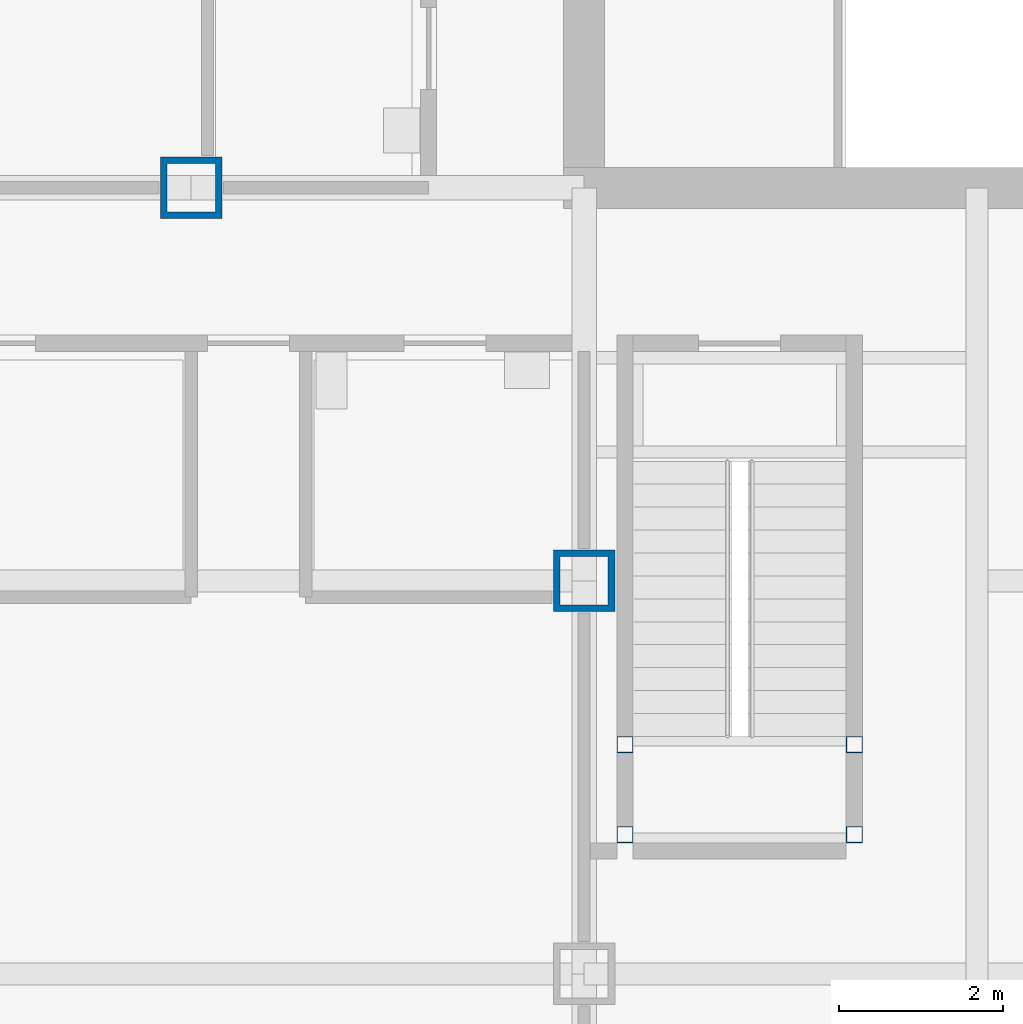
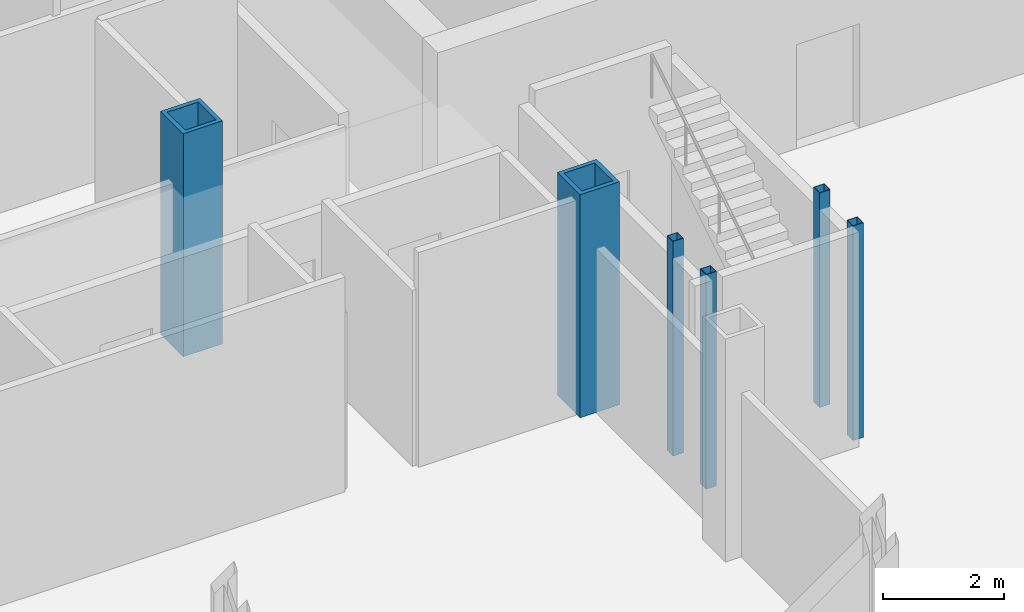
# One storey, part 3 of 26: 6 columns.
"""IFC4 building model written with IfcOpenShell, lengths in metres."""

from ifc_helpers import new_model, si_unit, direction, frame, origin, origin_2d, place, context, subcontext, project, spatial, hollow_rectangle, extrude, material, material_profile, profile_set, type_object, element, save


model = new_model("IFC4")

# Units and contexts
model_context = context("Model", 3, precision=1e-05, world=origin(), true_north=direction((0.0, 1.0)))
body_context = subcontext(model_context, "Body", "Model", "MODEL_VIEW")
ifc_project = project(units=[si_unit("LENGTHUNIT", "METRE"), si_unit("AREAUNIT", "SQUARE_METRE"), si_unit("VOLUMEUNIT", "CUBIC_METRE"), si_unit("PLANEANGLEUNIT", "RADIAN"), si_unit("MASSUNIT", "GRAM", prefix="KILO")], contexts=[model_context])

# Site, building, storey
site_placement = place(None, origin())
site = spatial("IfcSite", under=ifc_project, at=site_placement, CompositionType="ELEMENT")
building_placement = place(site_placement, origin())
building = spatial("IfcBuilding", under=site, at=building_placement, Name="Kvirike Care Tower", CompositionType="ELEMENT")
storey_placement = place(building_placement, frame((0.0, 0.0, 18.0)))
storey = spatial("IfcBuildingStorey", under=building, at=storey_placement, Name="L04", CompositionType="ELEMENT", Elevation=18.0)

# Columns
ifc_material_1 = material(Name="Steel S460", Category="steel")
ifc_material_profile_1 = material_profile(ifc_material_1, hollow_rectangle(XDim=0.75, YDim=0.75, WallThickness=0.080078125, at=origin_2d()), Name="BX 750x750x80")
ifc_profile_set_1 = profile_set([ifc_material_profile_1], Name="Steel S460")
column_type_1 = type_object("IfcColumnType", Name="COLUMN BX 750x750x80", PredefinedType="COLUMN", material=ifc_profile_set_1)
for number, where, z_axis, x_axis, name in (
    (1, (9.60009765625, 28.800048828125, 0.0), (0.0, 0.0, 1.0), (0.0, 1.0, 0.0), "Column G5 L04"),
    (2, (14.39990234375, 24.0, 0.0), (0.0, 0.0, 1.0), (1.0, 0.0, 0.0), "Column F6 L04"),
):
    element("IfcColumn", number, at=place(storey_placement, frame(where, z_axis=z_axis, x_axis=x_axis)), inside=storey, type_object=column_type_1, Name=name, PredefinedType="COLUMN", context=body_context, shape_type="SweptSolid", body=[
        extrude(hollow_rectangle(XDim=0.75, YDim=0.75, WallThickness=0.080078125, at=origin_2d()), origin(), (0.0, 0.0, 1.0), 4.5),
    ])
ifc_material_2 = material(Name="Steel S460", Category="steel")
ifc_material_profile_2 = material_profile(ifc_material_2, hollow_rectangle(XDim=0.199951171875, YDim=0.199951171875, WallThickness=0.008056640625, at=origin_2d()), Name="SHS 200x200x8")
ifc_profile_set_2 = profile_set([ifc_material_profile_2], Name="Steel S460")
column_type_2 = type_object("IfcColumnType", Name="STAIR POST SHS 200x200x8", PredefinedType="COLUMN", material=ifc_profile_set_2)
for number, where, z_axis, x_axis, name in (
    (3, (14.89990234375, 20.89990234375, 0.0), (0.0, 0.0, 1.0), (1.0, 0.0, 0.0), "Stair 5 post 1 L04"),
    (4, (17.699951171875, 20.89990234375, 0.0), (0.0, 0.0, 1.0), (1.0, 0.0, 0.0), "Stair 5 post 2 L04"),
    (5, (14.89990234375, 22.0, 0.0), (0.0, 0.0, 1.0), (1.0, 0.0, 0.0), "Stair 5 post 3 L04"),
    (6, (17.699951171875, 22.0, 0.0), (0.0, 0.0, 1.0), (1.0, 0.0, 0.0), "Stair 5 post 4 L04"),
):
    element("IfcColumn", number, at=place(storey_placement, frame(where, z_axis=z_axis, x_axis=x_axis)), inside=storey, type_object=column_type_2, Name=name, PredefinedType="COLUMN", context=body_context, shape_type="SweptSolid", body=[
        extrude(hollow_rectangle(XDim=0.199951171875, YDim=0.199951171875, WallThickness=0.008056640625, at=origin_2d()), origin(), (0.0, 0.0, 1.0), 4.330078125),
    ])

save(model, "model.ifc")
